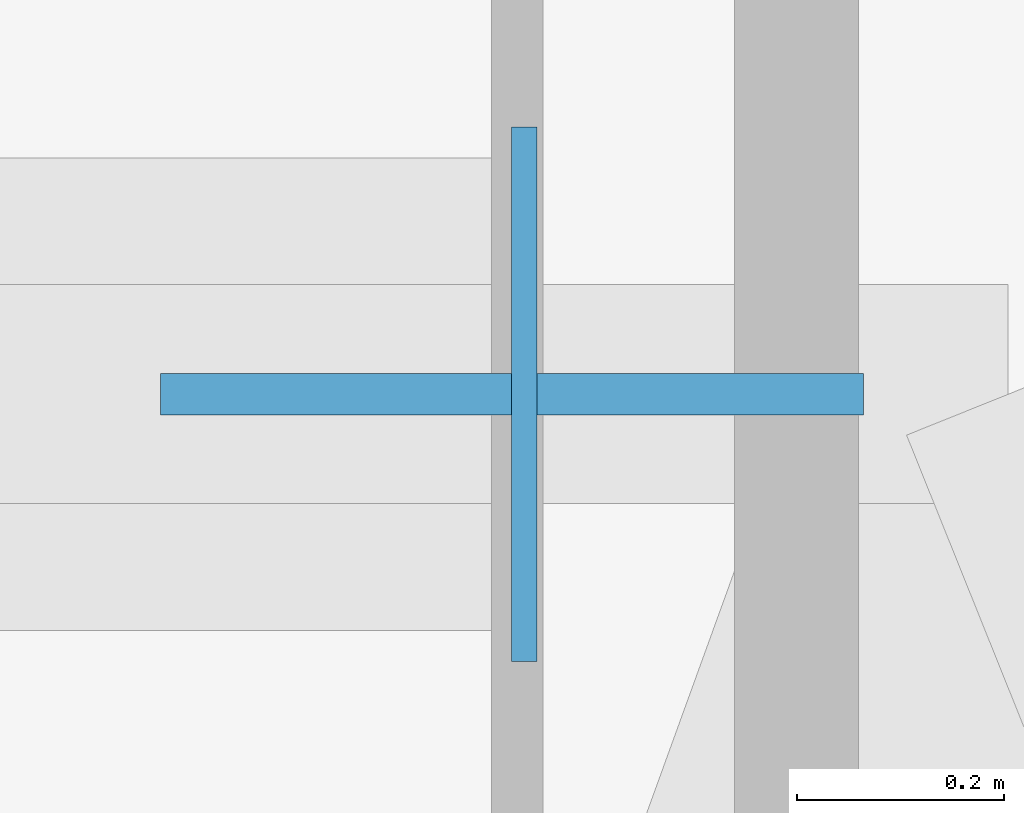
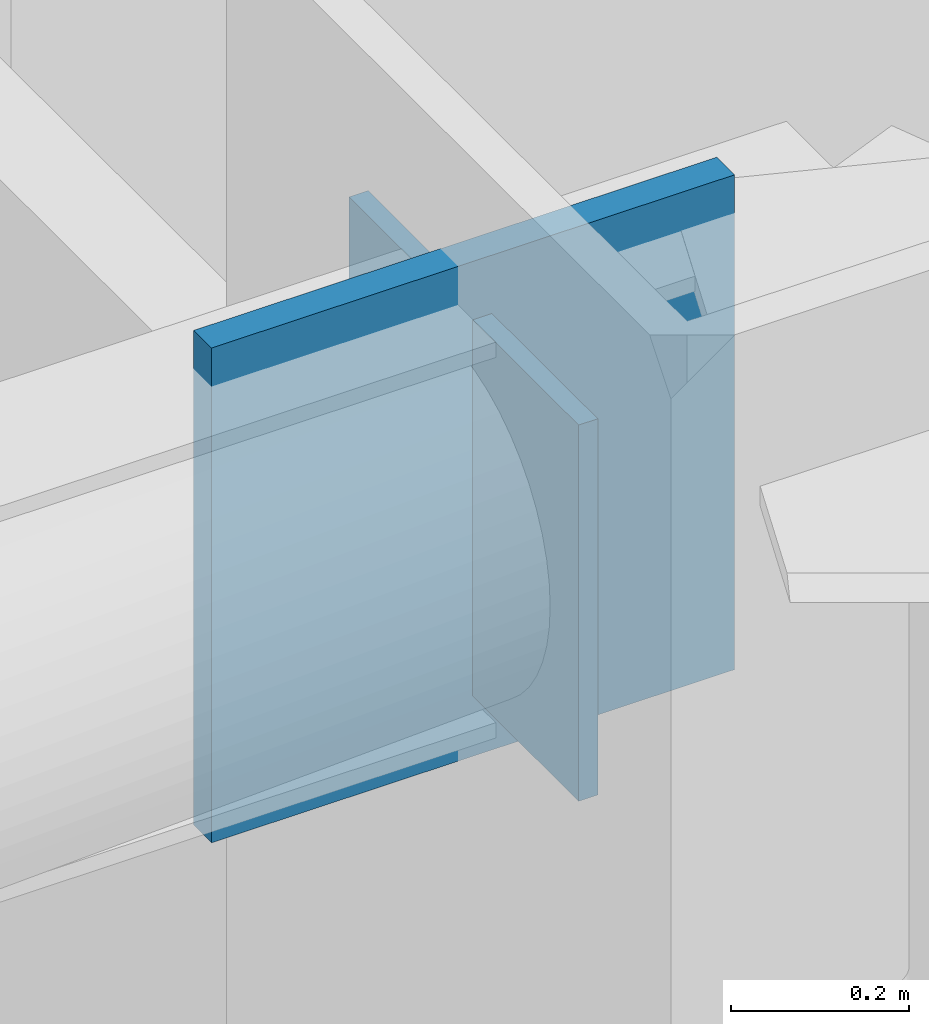
# One storey, part 4 of 13: 2 plates.
"""IFC4 building model written with IfcOpenShell, lengths in metres."""

from ifc_helpers import new_model, si_unit, direction, frame, origin, origin_2d, place, context, subcontext, project, spatial, rectangle, extrude, material, layer, layer_set, type_object, element, save


model = new_model("IFC4")

# Units and contexts
model_context = context("Model", 3, precision=1e-05, world=origin(), true_north=direction((0.0, 1.0)))
body_context = subcontext(model_context, "Body", "Model", "MODEL_VIEW")
ifc_project = project(units=[si_unit("LENGTHUNIT", "METRE"), si_unit("AREAUNIT", "SQUARE_METRE"), si_unit("VOLUMEUNIT", "CUBIC_METRE"), si_unit("PLANEANGLEUNIT", "RADIAN"), si_unit("MASSUNIT", "GRAM", prefix="KILO")], contexts=[model_context])

# Site, building, storey
site_placement = place(None, origin())
site = spatial("IfcSite", under=ifc_project, at=site_placement, CompositionType="ELEMENT")
building_placement = place(site_placement, origin())
building = spatial("IfcBuilding", under=site, at=building_placement, Name="Khamvora Tower", CompositionType="ELEMENT")
storey_placement = place(building_placement, frame((0.0, 0.0, 105.550048828125)))
storey = spatial("IfcBuildingStorey", under=building, at=storey_placement, Name="L26", CompositionType="ELEMENT", Elevation=105.550048828125)

# Plates
ifc_material_1 = material(Name="Steel S355", Category="steel")
ifc_layer_1 = layer(ifc_material_1, 0.02490234375)
ifc_layer_set_1 = layer_set([ifc_layer_1], Name="Steel S355")
plate_type_1 = type_object("IfcPlateType", Name="PL-CAP-25", PredefinedType="SHEET", material=ifc_layer_set_1)
plate_1_placement = place(storey_placement, frame((49.48193359375, 47.300048828125, 2.884521484375), z_axis=(0.0, 0.0, 1.0), x_axis=(1.0, 0.0, 0.0)))
element("IfcPlate", 1, at=plate_1_placement, inside=storey, type_object=plate_type_1, Name="L26 hollow section steel end cap plate 0751", PredefinedType="SHEET", context=body_context, shape_type="SweptSolid", body=[
    extrude(rectangle(XDim=0.02490234375, YDim=0.51708984375, at=origin_2d()), origin(), (0.0, 0.0, 1.0), 0.51708984375),
])
ifc_material_2 = material(Name="Steel S460", Category="steel")
ifc_layer_2 = layer(ifc_material_2, 0.0400390625)
ifc_layer_set_2 = layer_set([ifc_layer_2], Name="Steel S460")
plate_type_2 = type_object("IfcPlateType", Name="PLT-GUS-40", PredefinedType="SHEET", material=ifc_layer_set_2)
plate_2_placement = place(storey_placement, frame((49.469970703125, 47.300048828125, 2.8017578125), z_axis=(0.0, 0.0, 1.0), x_axis=(1.0, 0.0, 0.0)))
element("IfcPlate", 2, at=plate_2_placement, inside=storey, type_object=plate_type_2, Name="L26 brace connection node gusset plate 0184", PredefinedType="SHEET", context=body_context, shape_type="SweptSolid", body=[
    extrude(rectangle(XDim=0.679931640625, YDim=0.0400390625, at=origin_2d()), origin(), (0.0, 0.0, 1.0), 0.679931640625),
])

save(model, "model.ifc")
